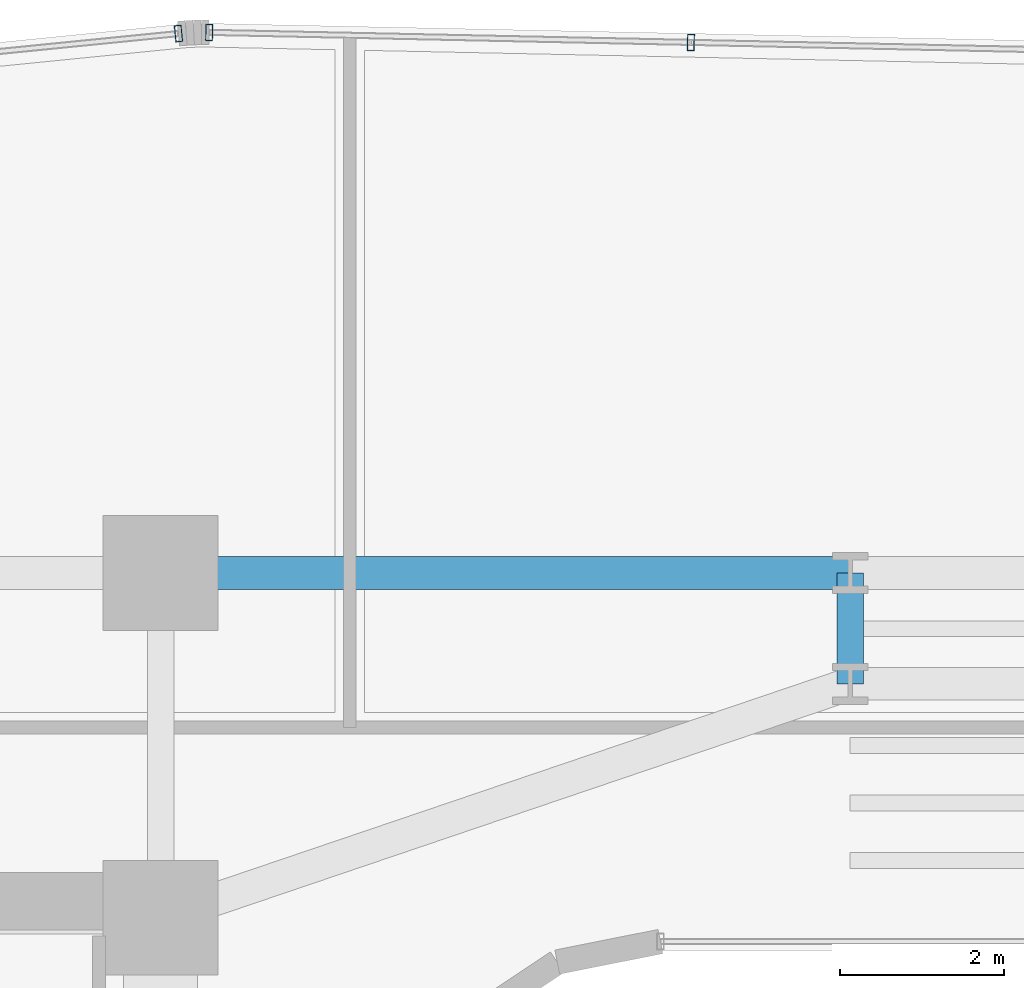
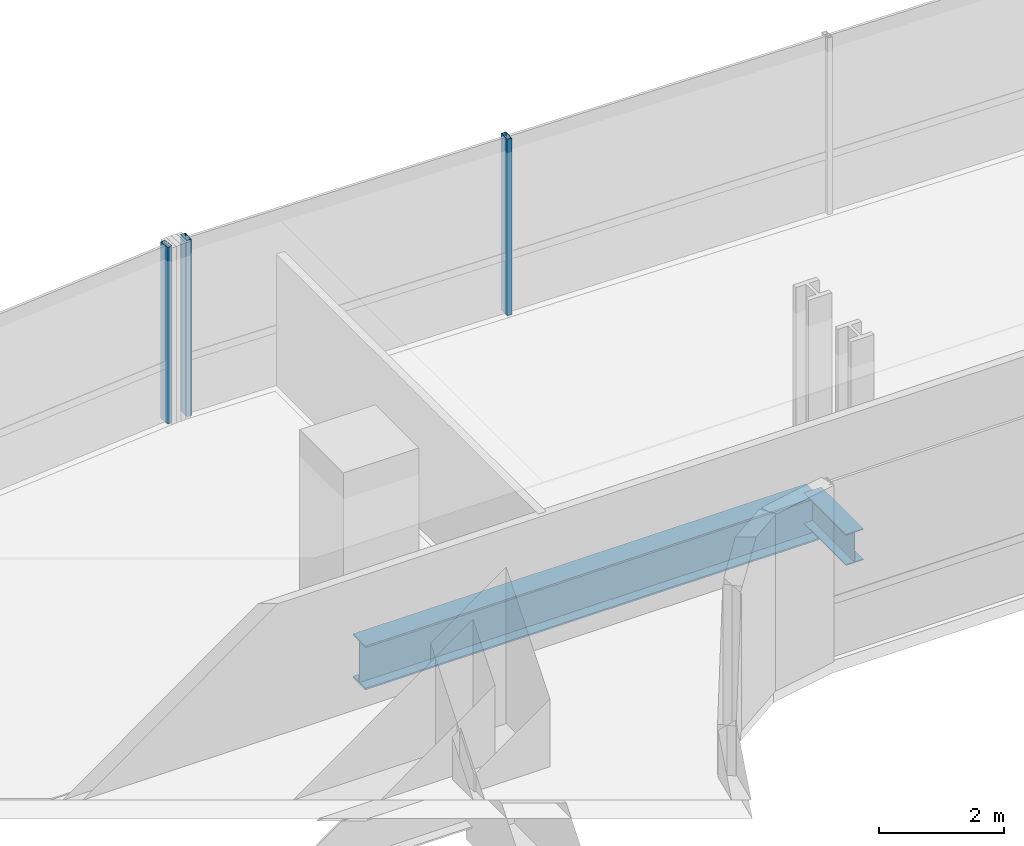
# One storey, part 19 of 39: 3 members, 2 beams, 2 elements without a shape of their own.
"""IFC4 building model written with IfcOpenShell, lengths in metres."""

from ifc_helpers import new_model, si_unit, direction, frame, origin, origin_2d, place, context, subcontext, project, spatial, hollow_rectangle, i_section, extrude, source, transform, mapped, material, material_profile, profile_set, type_object, element, aggregate, save


model = new_model("IFC4")

# Units and contexts
model_context = context("Model", 3, precision=1e-05, world=origin(), true_north=direction((0.0, 1.0)))
body_context = subcontext(model_context, "Body", "Model", "MODEL_VIEW")
ifc_project = project(units=[si_unit("LENGTHUNIT", "METRE"), si_unit("AREAUNIT", "SQUARE_METRE"), si_unit("VOLUMEUNIT", "CUBIC_METRE"), si_unit("PLANEANGLEUNIT", "RADIAN"), si_unit("MASSUNIT", "GRAM", prefix="KILO")], contexts=[model_context])

# Site, building, storey
site_placement = place(None, origin())
site = spatial("IfcSite", under=ifc_project, at=site_placement, CompositionType="ELEMENT")
building_placement = place(site_placement, origin())
building = spatial("IfcBuilding", under=site, at=building_placement, Name="Valdorenza Pilgrim Sanctuary Tower", CompositionType="ELEMENT")
storey_placement = place(building_placement, frame((0.0, 0.0, 74.10009765625)))
storey = spatial("IfcBuildingStorey", under=building, at=storey_placement, Name="L18", CompositionType="ELEMENT", Elevation=74.10009765625)

# Beams
ifc_material_1 = material(Name="Steel ASTM A992 Grade 50", Category="steel")
ifc_material_profile_1 = material_profile(ifc_material_1, i_section(OverallWidth=0.39990234375, OverallDepth=0.862060546875, WebThickness=0.019775390625, FlangeThickness=0.032470703125, at=origin_2d()), Name="W33X221")
ifc_profile_set_1 = profile_set([ifc_material_profile_1], Name="Steel ASTM A992 Grade 50")
beam_type_1 = type_object("IfcBeamType", Name="STR-BM-GRD-W33", PredefinedType="BEAM", material=ifc_profile_set_1)
shared_shape_1 = source(origin(), body_context, "Body", "SweptSolid", [
    extrude(i_section(OverallWidth=0.39990234375, OverallDepth=0.862060546875, WebThickness=0.019775390625, FlangeThickness=0.032470703125, at=origin_2d()), origin(), (0.0, 0.0, 1.0), 8.39990234375),
])
beam_1_placement = place(storey_placement, frame((-12.39990234375, 14.800048828125, -0.671142578125), z_axis=(1.0, 0.0, 0.0), x_axis=(0.0, 1.0, 0.0)))
element("IfcBeam", 1, at=beam_1_placement, inside=storey, type_object=beam_type_1, Name="L18 Floor Girder KNK-G4", PredefinedType="BEAM", context=body_context, shape_type="MappedRepresentation", body=[
    mapped(shared_shape_1, transform((0.0, 0.0, 0.0), x_axis=(1.0, 0.0, 0.0), y_axis=(0.0, 1.0, 0.0), z_axis=(0.0, 0.0, 1.0), scale=1.0)),
])
ifc_material_profile_2 = material_profile(ifc_material_1, i_section(OverallWidth=0.323974609375, OverallDepth=0.611083984375, WebThickness=0.0126953125, FlangeThickness=0.01904296875, at=origin_2d()), Name="W24X104")
ifc_profile_set_2 = profile_set([ifc_material_profile_2], Name="Steel ASTM A992 Grade 50")
beam_type_2 = type_object("IfcBeamType", Name="STR-BM-GRD-W24B", PredefinedType="BEAM", material=ifc_profile_set_2)
shared_shape_2 = source(origin(), body_context, "Body", "SweptSolid", [
    extrude(i_section(OverallWidth=0.323974609375, OverallDepth=0.611083984375, WebThickness=0.0126953125, FlangeThickness=0.01904296875, at=origin_2d()), origin(), (0.0, 0.0, 1.0), 1.35009765625),
])
beam_2_placement = place(storey_placement, frame((-4.0, 13.449951171875, -0.545654296875), z_axis=(0.0, 1.0, 0.0), x_axis=(-1.0, 0.0, 0.0)))
element("IfcBeam", 2, at=beam_2_placement, inside=storey, type_object=beam_type_2, Name="L18 Floor Girder KNK-TIE-W", PredefinedType="BEAM", context=body_context, shape_type="MappedRepresentation", body=[
    mapped(shared_shape_2, transform((0.0, 0.0, 0.0), x_axis=(1.0, 0.0, 0.0), y_axis=(0.0, 1.0, 0.0), z_axis=(0.0, 0.0, 1.0), scale=1.0)),
])

# Curtain wall, member
ifc_material_2 = material(Name="Curtain-wall IGU glazing", Category="glass")
curtain_wall_type = type_object("IfcCurtainWallType", Name="CW-SYS-02", PredefinedType="NOTDEFINED", material=ifc_material_2)
curtain_wall_1_placement = place(storey_placement, origin())
curtain_wall_1 = element("IfcCurtainWall", 3, at=curtain_wall_1_placement, inside=storey, type_object=curtain_wall_type, Name="L18 Curtain Wall CW-L18-1-6", PredefinedType="NOTDEFINED")
ifc_material_3 = material(Name="Anodised aluminium AW-6060", Category="aluminium")
ifc_material_profile_3 = material_profile(ifc_material_3, hollow_rectangle(XDim=0.0849609375, YDim=0.199951171875, WallThickness=0.0048828125, at=origin_2d()), Name="ALU-M 200x85x5")
ifc_profile_set_3 = profile_set([ifc_material_profile_3], Name="Anodised aluminium AW-6060")
member_type = type_object("IfcMemberType", Name="CW-MUL-02", PredefinedType="MULLION", material=ifc_profile_set_3)
shared_shape_3 = source(origin(), body_context, "Body", "SweptSolid", [
    extrude(hollow_rectangle(XDim=0.0849609375, YDim=0.199951171875, WallThickness=0.0048828125, at=origin_2d()), origin(), (0.0, 0.0, 1.0), 3.4599609375),
])
member_1_placement = place(storey_placement, frame((-12.181884765625, 21.371337890625, 0.0), z_axis=(0.0, 0.0, 1.0), x_axis=(0.995038220239, 0.099493418189, 0.0)))
member_1 = element("IfcMember", 4, at=member_1_placement, type_object=member_type, Name="CW-L18-1-6 Mullion 4", PredefinedType="MULLION", context=body_context, shape_type="MappedRepresentation", body=[
    mapped(shared_shape_3, transform((0.0, 0.0, 0.0), x_axis=(1.0, 0.0, 0.0), y_axis=(0.0, 1.0, 0.0), z_axis=(0.0, 0.0, 1.0), scale=1.0)),
])
aggregate(curtain_wall_1, [member_1])

# Curtain wall, members
curtain_wall_2_placement = place(storey_placement, origin())
curtain_wall_2 = element("IfcCurtainWall", 5, at=curtain_wall_2_placement, inside=storey, type_object=curtain_wall_type, Name="L18 Curtain Wall CW-L18-1-11", PredefinedType="NOTDEFINED")
member_2_placement = place(storey_placement, frame((-11.808349609375, 21.385986328125, 0.0), z_axis=(0.0, 0.0, 1.0), x_axis=(0.999783234613, -0.020820273474, 0.0)))
member_2 = element("IfcMember", 6, at=member_2_placement, type_object=member_type, Name="CW-L18-1-11 Mullion 1", PredefinedType="MULLION", context=body_context, shape_type="MappedRepresentation", body=[
    mapped(shared_shape_3, transform((0.0, 0.0, 0.0), x_axis=(1.0, 0.0, 0.0), y_axis=(0.0, 1.0, 0.0), z_axis=(0.0, 0.0, 1.0), scale=1.0)),
])
member_3_placement = place(storey_placement, frame((-5.93994140625, 21.263671875, 0.0), z_axis=(0.0, 0.0, 1.0), x_axis=(0.999783234613, -0.020820273474, 0.0)))
member_3 = element("IfcMember", 7, at=member_3_placement, type_object=member_type, Name="CW-L18-1-11 Mullion 2", PredefinedType="MULLION", context=body_context, shape_type="MappedRepresentation", body=[
    mapped(shared_shape_3, transform((0.0, 0.0, 0.0), x_axis=(1.0, 0.0, 0.0), y_axis=(0.0, 1.0, 0.0), z_axis=(0.0, 0.0, 1.0), scale=1.0)),
])
aggregate(curtain_wall_2, [member_2, member_3])

save(model, "model.ifc")
